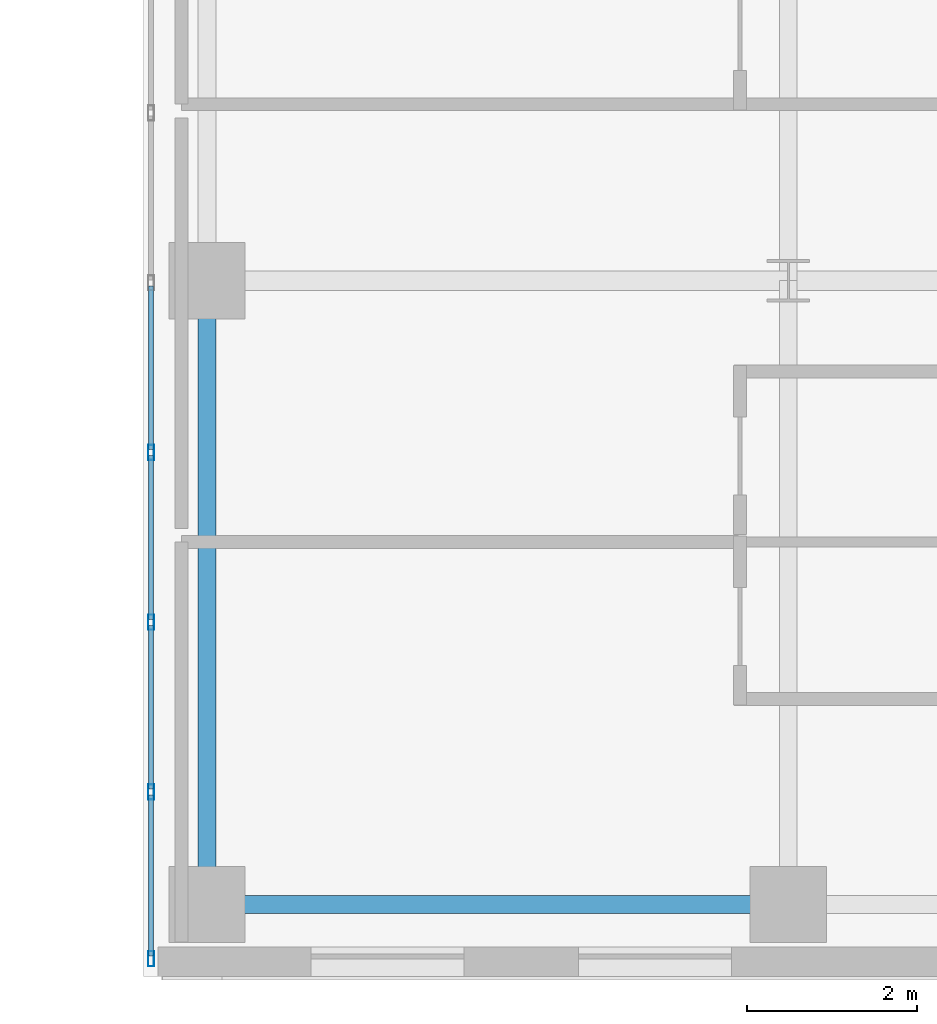
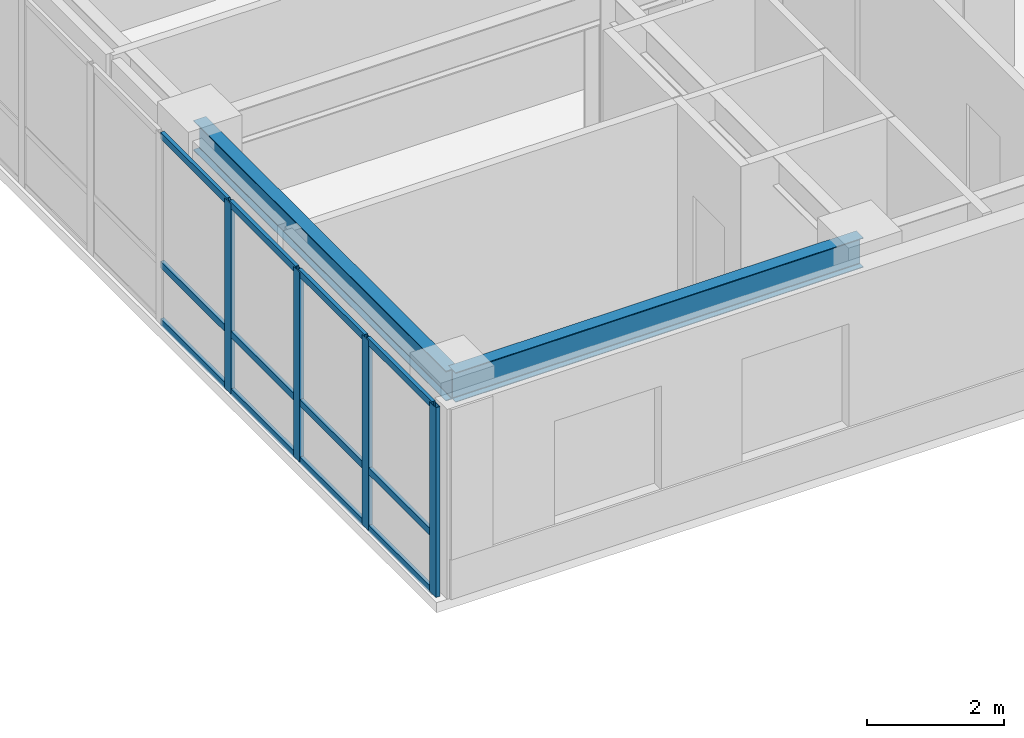
# One storey, part 7 of 24: 16 members, 2 beams, 1 element without a shape of its own.
"""IFC4 building model written with IfcOpenShell, lengths in metres."""

from ifc_helpers import new_model, si_unit, direction, frame, origin, origin_2d, place, context, subcontext, project, spatial, hollow_rectangle, i_section, extrude, source, transform, mapped, material, layer, layer_set, material_profile, profile_set, type_object, type_shapes, element, aggregate, save


model = new_model("IFC4")

# Units and contexts
model_context = context("Model", 3, precision=1e-05, world=origin(), true_north=direction((0.0, 1.0)))
body_context = subcontext(model_context, "Body", "Model", "MODEL_VIEW")
ifc_project = project(units=[si_unit("LENGTHUNIT", "METRE"), si_unit("AREAUNIT", "SQUARE_METRE"), si_unit("VOLUMEUNIT", "CUBIC_METRE"), si_unit("PLANEANGLEUNIT", "RADIAN"), si_unit("MASSUNIT", "GRAM", prefix="KILO")], contexts=[model_context])

# Site, building, storey
site_placement = place(None, origin())
site = spatial("IfcSite", under=ifc_project, at=site_placement, CompositionType="ELEMENT")
building_placement = place(site_placement, origin())
building = spatial("IfcBuilding", under=site, at=building_placement, Name="Tolvann Quenvar Hotel", CompositionType="ELEMENT")
storey_placement = place(building_placement, frame((0.0, 0.0, 81.699951171875)))
storey = spatial("IfcBuildingStorey", under=building, at=storey_placement, Name="L20", CompositionType="ELEMENT", Elevation=81.699951171875)

# Beams
ifc_material_1 = material(Name="Steel Grade 350", Category="steel")
ifc_material_profile_1 = material_profile(ifc_material_1, i_section(OverallWidth=0.208984375, OverallDepth=0.528076171875, WebThickness=0.009521484375, FlangeThickness=0.01318359375, FilletRadius=0.013916015625, at=origin_2d()), Name="530UB82")
ifc_profile_set_1 = profile_set([ifc_material_profile_1], Name="Steel Grade 350")
beam_type_1 = type_object("IfcBeamType", Name="BM_SPAND_530UB82", PredefinedType="SPANDREL", material=ifc_profile_set_1)
shared_shape_1 = source(origin(), body_context, "Body", "SweptSolid", [
    extrude(i_section(OverallWidth=0.208984375, OverallDepth=0.528076171875, WebThickness=0.009521484375, FlangeThickness=0.01318359375, FilletRadius=0.013916015625, at=origin_2d()), origin(), (0.0, 0.0, 1.0), 6.85009765625),
])
type_shapes(beam_type_1, [shared_shape_1])
beam_1_placement = place(storey_placement, frame((34.949951171875, 0.85009765625, 3.10595703125), z_axis=(1.0, 0.0, 0.0), x_axis=(0.0, 1.0, 0.0)))
element("IfcBeam", 1, at=beam_1_placement, inside=storey, type_object=beam_type_1, Name="BM-L20-EW-2-F2-H2", PredefinedType="SPANDREL", context=body_context, shape_type="MappedRepresentation", body=[
    mapped(shared_shape_1, transform((0.0, 0.0, 0.0), x_axis=(1.0, 0.0, 0.0), y_axis=(0.0, 1.0, 0.0), z_axis=(0.0, 0.0, 1.0), scale=1.0)),
])
ifc_material_profile_2 = material_profile(ifc_material_1, i_section(OverallWidth=0.208984375, OverallDepth=0.532958984375, WebThickness=0.01025390625, FlangeThickness=0.015625, FilletRadius=0.013916015625, at=origin_2d()), Name="530UB92")
ifc_profile_set_2 = profile_set([ifc_material_profile_2], Name="Steel Grade 350")
beam_type_2 = type_object("IfcBeamType", Name="BM_GIRD_530UB92", PredefinedType="BEAM", material=ifc_profile_set_2)
shared_shape_2 = source(origin(), body_context, "Body", "SweptSolid", [
    extrude(i_section(OverallWidth=0.208984375, OverallDepth=0.532958984375, WebThickness=0.01025390625, FlangeThickness=0.015625, FilletRadius=0.013916015625, at=origin_2d()), origin(), (0.0, 0.0, 1.0), 7.349853515625),
])
type_shapes(beam_type_2, [shared_shape_2])
beam_2_placement = place(storey_placement, frame((34.949951171875, 0.85009765625, 3.103515625), z_axis=(0.0, 1.0, 0.0), x_axis=(-1.0, 0.0, 0.0)))
element("IfcBeam", 2, at=beam_2_placement, inside=storey, type_object=beam_type_2, Name="BM-L20-NS-F2-F3", PredefinedType="BEAM", context=body_context, shape_type="MappedRepresentation", body=[
    mapped(shared_shape_2, transform((0.0, 0.0, 0.0), x_axis=(1.0, 0.0, 0.0), y_axis=(0.0, 1.0, 0.0), z_axis=(0.0, 0.0, 1.0), scale=1.0)),
])

# Curtain wall, members
ifc_material_2 = material(Name="Thermally broken anodised architectural aluminium 6063-T6 and laminated low-E glass", Category="aluminium")
ifc_layer = layer(ifc_material_2, 0.179931640625)
ifc_layer_set = layer_set([ifc_layer], Name="Thermally broken anodised architectural aluminium 6063-T6 and laminated low-E glass")
curtain_wall_type = type_object("IfcCurtainWallType", Name="CW_SYS_SLOT_03", PredefinedType="USERDEFINED", material=ifc_layer_set)
curtain_wall_placement = place(storey_placement, origin())
curtain_wall = element("IfcCurtainWall", 3, at=curtain_wall_placement, inside=storey, type_object=curtain_wall_type, Name="Curtain Wall CW-SLOT-03 (CWR-L20-E07)", ObjectType="UNITISED CURTAIN WALL", PredefinedType="USERDEFINED")
ifc_material_3 = material(Name="Anodised architectural aluminium 6063-T6 framing", Category="aluminium")
ifc_material_profile_3 = material_profile(ifc_material_3, hollow_rectangle(XDim=0.070068359375, YDim=0.179931640625, WallThickness=0.00390625, at=origin_2d()), Name="180x70x4RHS")
ifc_profile_set_3 = profile_set([ifc_material_profile_3], Name="Anodised architectural aluminium 6063-T6 framing")
member_type_1 = type_object("IfcMemberType", Name="CW_MULL_180x70", PredefinedType="MULLION", material=ifc_profile_set_3)
shared_shape_3 = source(origin(), body_context, "Body", "SweptSolid", [
    extrude(hollow_rectangle(XDim=0.070068359375, YDim=0.179931640625, WallThickness=0.00390625, at=origin_2d()), origin(), (0.0, 0.0, 1.0), 3.3701171875),
])
type_shapes(member_type_1, [shared_shape_3])
member_1_placement = place(storey_placement, frame((34.2900390625, 6.175048828125, 0.0), z_axis=(0.0, 0.0, 1.0), x_axis=(1.0, 0.0, 0.0)))
member_1 = element("IfcMember", 4, at=member_1_placement, type_object=member_type_1, Name="CW-SLOT-03 mullion 6", PredefinedType="MULLION", context=body_context, shape_type="MappedRepresentation", body=[
    mapped(shared_shape_3, transform((0.0, 0.0, 0.0), x_axis=(1.0, 0.0, 0.0), y_axis=(0.0, 1.0, 0.0), z_axis=(0.0, 0.0, 1.0), scale=1.0)),
])
member_2_placement = place(storey_placement, frame((34.2900390625, 4.175048828125, 0.0), z_axis=(0.0, 0.0, 1.0), x_axis=(1.0, 0.0, 0.0)))
member_2 = element("IfcMember", 5, at=member_2_placement, type_object=member_type_1, Name="CW-SLOT-03 mullion 7", PredefinedType="MULLION", context=body_context, shape_type="MappedRepresentation", body=[
    mapped(shared_shape_3, transform((0.0, 0.0, 0.0), x_axis=(1.0, 0.0, 0.0), y_axis=(0.0, 1.0, 0.0), z_axis=(0.0, 0.0, 1.0), scale=1.0)),
])
member_3_placement = place(storey_placement, frame((34.2900390625, 2.175048828125, 0.0), z_axis=(0.0, 0.0, 1.0), x_axis=(1.0, 0.0, 0.0)))
member_3 = element("IfcMember", 6, at=member_3_placement, type_object=member_type_1, Name="CW-SLOT-03 mullion 8", PredefinedType="MULLION", context=body_context, shape_type="MappedRepresentation", body=[
    mapped(shared_shape_3, transform((0.0, 0.0, 0.0), x_axis=(1.0, 0.0, 0.0), y_axis=(0.0, 1.0, 0.0), z_axis=(0.0, 0.0, 1.0), scale=1.0)),
])
member_4_placement = place(storey_placement, frame((34.2900390625, 0.2099609375, 0.0), z_axis=(0.0, 0.0, 1.0), x_axis=(1.0, 0.0, 0.0)))
member_4 = element("IfcMember", 7, at=member_4_placement, type_object=member_type_1, Name="CW-SLOT-03 mullion 9", PredefinedType="MULLION", context=body_context, shape_type="MappedRepresentation", body=[
    mapped(shared_shape_3, transform((0.0, 0.0, 0.0), x_axis=(1.0, 0.0, 0.0), y_axis=(0.0, 1.0, 0.0), z_axis=(0.0, 0.0, 1.0), scale=1.0)),
])
ifc_material_profile_4 = material_profile(ifc_material_3, hollow_rectangle(XDim=0.06005859375, YDim=0.1201171875, WallThickness=0.00341796875, at=origin_2d()), Name="120x60x3.5RHS")
ifc_profile_set_4 = profile_set([ifc_material_profile_4], Name="Anodised architectural aluminium 6063-T6 framing")
member_type_2 = type_object("IfcMemberType", Name="CW_TRAN_120x60", PredefinedType="USERDEFINED", material=ifc_profile_set_4)
shared_shape_4 = source(origin(), body_context, "Body", "SweptSolid", [
    extrude(hollow_rectangle(XDim=0.06005859375, YDim=0.1201171875, WallThickness=0.00341796875, at=origin_2d()), origin(), (0.0, 0.0, 1.0), 1.894775390625),
])
member_5_placement = place(storey_placement, frame((34.2900390625, 2.139892578125, 0.030029296875), z_axis=(0.0, -1.0, 0.0), x_axis=(1.0, 0.0, 0.0)))
member_5 = element("IfcMember", 8, at=member_5_placement, type_object=member_type_2, Name="CW-SLOT-03 transom 8.1", ObjectType="TRANSOM", PredefinedType="USERDEFINED", context=body_context, shape_type="MappedRepresentation", body=[
    mapped(shared_shape_4, transform((0.0, 0.0, 0.0), x_axis=(1.0, 0.0, 0.0), y_axis=(0.0, 1.0, 0.0), z_axis=(0.0, 0.0, 1.0), scale=1.0)),
])
member_6_placement = place(storey_placement, frame((34.2900390625, 2.139892578125, 1.050048828125), z_axis=(0.0, -1.0, 0.0), x_axis=(1.0, 0.0, 0.0)))
member_6 = element("IfcMember", 9, at=member_6_placement, type_object=member_type_2, Name="CW-SLOT-03 transom 8.2", ObjectType="TRANSOM", PredefinedType="USERDEFINED", context=body_context, shape_type="MappedRepresentation", body=[
    mapped(shared_shape_4, transform((0.0, 0.0, 0.0), x_axis=(1.0, 0.0, 0.0), y_axis=(0.0, 1.0, 0.0), z_axis=(0.0, 0.0, 1.0), scale=1.0)),
])
member_7_placement = place(storey_placement, frame((34.2900390625, 2.139892578125, 3.340087890625), z_axis=(0.0, -1.0, 0.0), x_axis=(1.0, 0.0, 0.0)))
member_7 = element("IfcMember", 10, at=member_7_placement, type_object=member_type_2, Name="CW-SLOT-03 transom 8.3", ObjectType="TRANSOM", PredefinedType="USERDEFINED", context=body_context, shape_type="MappedRepresentation", body=[
    mapped(shared_shape_4, transform((0.0, 0.0, 0.0), x_axis=(1.0, 0.0, 0.0), y_axis=(0.0, 1.0, 0.0), z_axis=(0.0, 0.0, 1.0), scale=1.0)),
])
shared_shape_5 = source(origin(), body_context, "Body", "SweptSolid", [
    extrude(hollow_rectangle(XDim=0.06005859375, YDim=0.1201171875, WallThickness=0.00341796875, at=origin_2d()), origin(), (0.0, 0.0, 1.0), 1.929931640625),
])
type_shapes(member_type_2, [shared_shape_4, shared_shape_5])
member_8_placement = place(storey_placement, frame((34.2900390625, 8.139892578125, 0.030029296875), z_axis=(0.0, -1.0, 0.0), x_axis=(1.0, 0.0, 0.0)))
member_8 = element("IfcMember", 11, at=member_8_placement, type_object=member_type_2, Name="CW-SLOT-03 transom 5.1", ObjectType="TRANSOM", PredefinedType="USERDEFINED", context=body_context, shape_type="MappedRepresentation", body=[
    mapped(shared_shape_5, transform((0.0, 0.0, 0.0), x_axis=(1.0, 0.0, 0.0), y_axis=(0.0, 1.0, 0.0), z_axis=(0.0, 0.0, 1.0), scale=1.0)),
])
member_9_placement = place(storey_placement, frame((34.2900390625, 8.139892578125, 1.050048828125), z_axis=(0.0, -1.0, 0.0), x_axis=(1.0, 0.0, 0.0)))
member_9 = element("IfcMember", 12, at=member_9_placement, type_object=member_type_2, Name="CW-SLOT-03 transom 5.2", ObjectType="TRANSOM", PredefinedType="USERDEFINED", context=body_context, shape_type="MappedRepresentation", body=[
    mapped(shared_shape_5, transform((0.0, 0.0, 0.0), x_axis=(1.0, 0.0, 0.0), y_axis=(0.0, 1.0, 0.0), z_axis=(0.0, 0.0, 1.0), scale=1.0)),
])
member_10_placement = place(storey_placement, frame((34.2900390625, 8.139892578125, 3.340087890625), z_axis=(0.0, -1.0, 0.0), x_axis=(1.0, 0.0, 0.0)))
member_10 = element("IfcMember", 13, at=member_10_placement, type_object=member_type_2, Name="CW-SLOT-03 transom 5.3", ObjectType="TRANSOM", PredefinedType="USERDEFINED", context=body_context, shape_type="MappedRepresentation", body=[
    mapped(shared_shape_5, transform((0.0, 0.0, 0.0), x_axis=(1.0, 0.0, 0.0), y_axis=(0.0, 1.0, 0.0), z_axis=(0.0, 0.0, 1.0), scale=1.0)),
])
member_11_placement = place(storey_placement, frame((34.2900390625, 6.139892578125, 0.030029296875), z_axis=(0.0, -1.0, 0.0), x_axis=(1.0, 0.0, 0.0)))
member_11 = element("IfcMember", 14, at=member_11_placement, type_object=member_type_2, Name="CW-SLOT-03 transom 6.1", ObjectType="TRANSOM", PredefinedType="USERDEFINED", context=body_context, shape_type="MappedRepresentation", body=[
    mapped(shared_shape_5, transform((0.0, 0.0, 0.0), x_axis=(1.0, 0.0, 0.0), y_axis=(0.0, 1.0, 0.0), z_axis=(0.0, 0.0, 1.0), scale=1.0)),
])
member_12_placement = place(storey_placement, frame((34.2900390625, 6.139892578125, 1.050048828125), z_axis=(0.0, -1.0, 0.0), x_axis=(1.0, 0.0, 0.0)))
member_12 = element("IfcMember", 15, at=member_12_placement, type_object=member_type_2, Name="CW-SLOT-03 transom 6.2", ObjectType="TRANSOM", PredefinedType="USERDEFINED", context=body_context, shape_type="MappedRepresentation", body=[
    mapped(shared_shape_5, transform((0.0, 0.0, 0.0), x_axis=(1.0, 0.0, 0.0), y_axis=(0.0, 1.0, 0.0), z_axis=(0.0, 0.0, 1.0), scale=1.0)),
])
member_13_placement = place(storey_placement, frame((34.2900390625, 6.139892578125, 3.340087890625), z_axis=(0.0, -1.0, 0.0), x_axis=(1.0, 0.0, 0.0)))
member_13 = element("IfcMember", 16, at=member_13_placement, type_object=member_type_2, Name="CW-SLOT-03 transom 6.3", ObjectType="TRANSOM", PredefinedType="USERDEFINED", context=body_context, shape_type="MappedRepresentation", body=[
    mapped(shared_shape_5, transform((0.0, 0.0, 0.0), x_axis=(1.0, 0.0, 0.0), y_axis=(0.0, 1.0, 0.0), z_axis=(0.0, 0.0, 1.0), scale=1.0)),
])
member_14_placement = place(storey_placement, frame((34.2900390625, 4.139892578125, 0.030029296875), z_axis=(0.0, -1.0, 0.0), x_axis=(1.0, 0.0, 0.0)))
member_14 = element("IfcMember", 17, at=member_14_placement, type_object=member_type_2, Name="CW-SLOT-03 transom 7.1", ObjectType="TRANSOM", PredefinedType="USERDEFINED", context=body_context, shape_type="MappedRepresentation", body=[
    mapped(shared_shape_5, transform((0.0, 0.0, 0.0), x_axis=(1.0, 0.0, 0.0), y_axis=(0.0, 1.0, 0.0), z_axis=(0.0, 0.0, 1.0), scale=1.0)),
])
member_15_placement = place(storey_placement, frame((34.2900390625, 4.139892578125, 1.050048828125), z_axis=(0.0, -1.0, 0.0), x_axis=(1.0, 0.0, 0.0)))
member_15 = element("IfcMember", 18, at=member_15_placement, type_object=member_type_2, Name="CW-SLOT-03 transom 7.2", ObjectType="TRANSOM", PredefinedType="USERDEFINED", context=body_context, shape_type="MappedRepresentation", body=[
    mapped(shared_shape_5, transform((0.0, 0.0, 0.0), x_axis=(1.0, 0.0, 0.0), y_axis=(0.0, 1.0, 0.0), z_axis=(0.0, 0.0, 1.0), scale=1.0)),
])
member_16_placement = place(storey_placement, frame((34.2900390625, 4.139892578125, 3.340087890625), z_axis=(0.0, -1.0, 0.0), x_axis=(1.0, 0.0, 0.0)))
member_16 = element("IfcMember", 19, at=member_16_placement, type_object=member_type_2, Name="CW-SLOT-03 transom 7.3", ObjectType="TRANSOM", PredefinedType="USERDEFINED", context=body_context, shape_type="MappedRepresentation", body=[
    mapped(shared_shape_5, transform((0.0, 0.0, 0.0), x_axis=(1.0, 0.0, 0.0), y_axis=(0.0, 1.0, 0.0), z_axis=(0.0, 0.0, 1.0), scale=1.0)),
])
aggregate(curtain_wall, [member_1, member_2, member_3, member_4, member_8, member_9, member_10, member_11, member_12, member_13, member_14, member_15, member_16, member_5, member_6, member_7])

save(model, "model.ifc")
